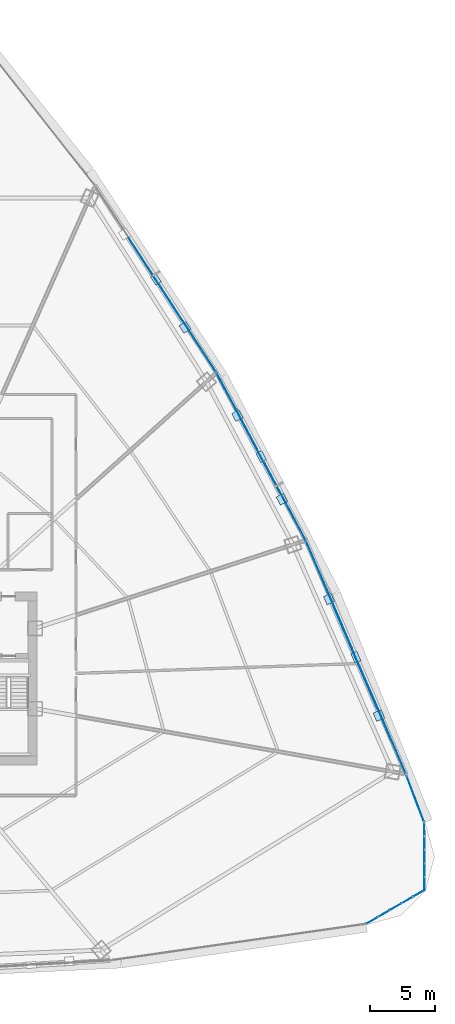
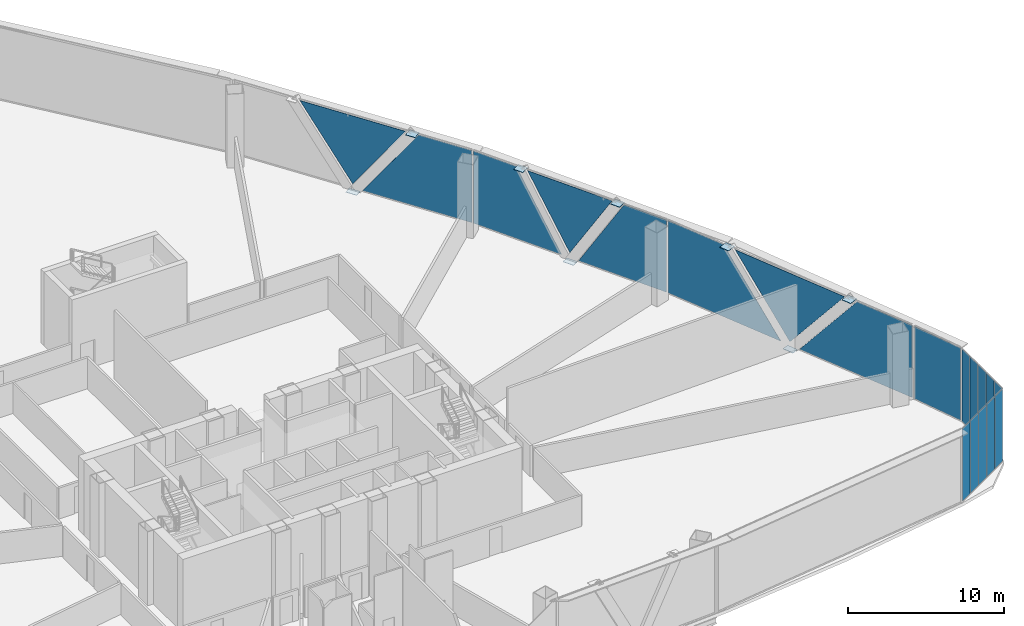
# One storey, part 31 of 41: 27 plates, 6 elements without a shape of their own.
"""IFC4 building model written with IfcOpenShell, lengths in metres."""

from ifc_helpers import new_model, si_unit, direction, frame, origin, origin_2d, place, context, subcontext, project, spatial, polyline, rectangle, outline, extrude, source, transform, mapped, material, layer, layer_set, type_object, element, aggregate, save


model = new_model("IFC4")

# Units and contexts
model_context = context("Model", 3, precision=1e-05, world=origin(), true_north=direction((0.0, 1.0)))
body_context = subcontext(model_context, "Body", "Model", "MODEL_VIEW")
ifc_project = project(units=[si_unit("LENGTHUNIT", "METRE"), si_unit("AREAUNIT", "SQUARE_METRE"), si_unit("VOLUMEUNIT", "CUBIC_METRE"), si_unit("PLANEANGLEUNIT", "RADIAN"), si_unit("MASSUNIT", "GRAM", prefix="KILO"), si_unit("THERMODYNAMICTEMPERATUREUNIT", "KELVIN"), si_unit("POWERUNIT", "WATT")], contexts=[model_context])

# Site, building, storey
site_placement = place(None, origin())
site = spatial("IfcSite", under=ifc_project, at=site_placement, CompositionType="ELEMENT")
building_placement = place(site_placement, origin())
building = spatial("IfcBuilding", under=site, at=building_placement, Name="Yunzhuo Pagoda Commons", CompositionType="ELEMENT")
storey_placement = place(building_placement, frame((0.0, 0.0, 70.330078125)))
storey = spatial("IfcBuildingStorey", under=building, at=storey_placement, Name="L18", CompositionType="ELEMENT", Elevation=70.330078125)

# Curtain wall, plates
ifc_material_1 = material(Name="Anodized aluminium 6063-T6", Category="aluminium")
ifc_layer_1 = layer(ifc_material_1, 0.1650390625)
ifc_layer_set_1 = layer_set([ifc_layer_1], Name="Anodized aluminium 6063-T6")
curtain_wall_type_1 = type_object("IfcCurtainWallType", Name="CW-LOW Low-Zone Ribbon Curtain Wall", PredefinedType="NOTDEFINED", material=ifc_layer_set_1)
curtain_wall_1_placement = place(storey_placement, origin())
curtain_wall_1 = element("IfcCurtainWall", 1, at=curtain_wall_1_placement, inside=storey, type_object=curtain_wall_type_1, Name="L18 curtain wall CW-L18-F2B2", PredefinedType="NOTDEFINED")
ifc_material_2 = material(Name="Tempered low-e double glazing", Category="glass")
ifc_layer_2 = layer(ifc_material_2, 0.028076171875)
ifc_layer_set_2 = layer_set([ifc_layer_2], Name="Tempered low-e double glazing")
plate_type_1 = type_object("IfcPlateType", Name="CW-LOW-P Low-E Double Glazing 28", PredefinedType="CURTAIN_PANEL", material=ifc_layer_set_2)
plate_1_placement = place(storey_placement, frame((87.26708984375, 30.65380859375, 2.885009765625), z_axis=(0.919121093161, 0.39397514656, 0.0), x_axis=(-0.39397514656, 0.919121093161, 0.0)))
plate_1 = element("IfcPlate", 2, at=plate_1_placement, type_object=plate_type_1, Name="CW panel 1.1 lite 1", PredefinedType="CURTAIN_PANEL", context=body_context, shape_type="SweptSolid", body=[
    extrude(outline(polyline([(-4.50830078125, -2.824951171875), (4.50830078125, -2.824951171875), (-0.09814453125, 2.824951171875), (-4.50830078125, 2.824951171875), (-4.50830078125, -2.824951171875)])), origin(), (0.0, 0.0, 1.0), 0.028076171875),
])
plate_2_placement = place(storey_placement, frame((85.16748046875, 35.47607421875, 3.025634765625), z_axis=(0.919121093161, 0.39397514656, 0.0), x_axis=(-0.39397514656, 0.919121093161, 0.0)))
plate_2 = element("IfcPlate", 3, at=plate_2_placement, type_object=plate_type_1, Name="CW panel 1.1 lite 2", PredefinedType="CURTAIN_PANEL", context=body_context, shape_type="SweptSolid", body=[
    extrude(outline(polyline([(-4.377197265625, 2.684326171875), (0.0, -2.684326171875), (4.377197265625, 2.684326171875), (-4.377197265625, 2.684326171875)])), origin(), (0.0, 0.0, 1.0), 0.028076171875),
])
plate_3_placement = place(storey_placement, frame((83.122802734375, 40.32177734375, 2.885009765625), z_axis=(0.919121093161, 0.39397514656, 0.0), x_axis=(-0.39397514656, 0.919121093161, 0.0)))
plate_3 = element("IfcPlate", 4, at=plate_3_placement, type_object=plate_type_1, Name="CW panel 1.1 lite 3", PredefinedType="CURTAIN_PANEL", context=body_context, shape_type="SweptSolid", body=[
    extrude(outline(polyline([(-4.50830078125, -2.824951171875), (4.50830078125, -2.824951171875), (4.50830078125, 2.824951171875), (0.098388671875, 2.824951171875), (-4.50830078125, -2.824951171875)])), origin(), (0.0, 0.0, 1.0), 0.028076171875),
])
aggregate(curtain_wall_1, [plate_1, plate_2, plate_3])

curtain_wall_2_placement = place(storey_placement, origin())
curtain_wall_2 = element("IfcCurtainWall", 5, at=curtain_wall_2_placement, inside=storey, type_object=curtain_wall_type_1, Name="L18 curtain wall CW-L18-F2B3", PredefinedType="NOTDEFINED")
plate_4_placement = place(storey_placement, frame((79.73046875, 47.51220703125, 2.885009765625), z_axis=(0.882636758547, 0.470055690808, 0.0), x_axis=(-0.470055690808, 0.882636758547, 0.0)))
plate_4 = element("IfcPlate", 6, at=plate_4_placement, type_object=plate_type_1, Name="CW panel 1.1 lite 1", PredefinedType="CURTAIN_PANEL", context=body_context, shape_type="SweptSolid", body=[
    extrude(outline(polyline([(-3.320068359375, -2.824951171875), (3.320068359375, -2.824951171875), (-0.120849609375, 2.824951171875), (-3.320068359375, 2.824951171875), (-3.320068359375, -2.824951171875)])), origin(), (0.0, 0.0, 1.0), 0.028076171875),
])
plate_5_placement = place(storey_placement, frame((77.842529296875, 50.9931640625, 3.09033203125), z_axis=(0.882636758547, 0.470055690808, 0.0), x_axis=(-0.470055690808, 0.882636758547, 0.0)))
plate_5 = element("IfcPlate", 7, at=plate_5_placement, type_object=plate_type_1, Name="CW panel 1.1 lite 2", PredefinedType="CURTAIN_PANEL", context=body_context, shape_type="SweptSolid", body=[
    extrude(outline(polyline([(-3.19091796875, 2.61962890625), (0.0, -2.61962890625), (3.19091796875, 2.61962890625), (-3.19091796875, 2.61962890625)])), origin(), (0.0, 0.0, 1.0), 0.028076171875),
])
plate_6_placement = place(storey_placement, frame((76.0078125, 54.50244140625, 2.885009765625), z_axis=(0.882636758547, 0.470055690808, 0.0), x_axis=(-0.470055690808, 0.882636758547, 0.0)))
plate_6 = element("IfcPlate", 8, at=plate_6_placement, type_object=plate_type_1, Name="CW panel 1.1 lite 3", PredefinedType="CURTAIN_PANEL", context=body_context, shape_type="SweptSolid", body=[
    extrude(outline(polyline([(-3.320068359375, -2.824951171875), (3.320068359375, -2.824951171875), (3.320068359375, 2.824951171875), (0.120849609375, 2.824951171875), (-3.320068359375, -2.824951171875)])), origin(), (0.0, 0.0, 1.0), 0.028076171875),
])
aggregate(curtain_wall_2, [plate_4, plate_5, plate_6])

curtain_wall_3_placement = place(storey_placement, origin())
curtain_wall_3 = element("IfcCurtainWall", 9, at=curtain_wall_3_placement, inside=storey, type_object=curtain_wall_type_1, Name="L18 curtain wall CW-L18-F2B4", PredefinedType="NOTDEFINED")
plate_7_placement = place(storey_placement, frame((72.2412109375, 60.84228515625, 2.885009765625), z_axis=(0.838840312647, 0.54437756188, 0.0), x_axis=(-0.54437756188, 0.838840312647, 0.0)))
plate_7 = element("IfcPlate", 10, at=plate_7_placement, type_object=plate_type_1, Name="CW panel 1.1 lite 1", PredefinedType="CURTAIN_PANEL", context=body_context, shape_type="SweptSolid", body=[
    extrude(outline(polyline([(-3.93212890625, -2.824951171875), (3.93212890625, -2.824951171875), (-0.10888671875, 2.824951171875), (-3.93212890625, 2.824951171875), (-3.93212890625, -2.824951171875)])), origin(), (0.0, 0.0, 1.0), 0.028076171875),
])
plate_8_placement = place(storey_placement, frame((69.696533203125, 64.708251953125, 3.051513671875), z_axis=(0.838840312647, 0.54437756188, 0.0), x_axis=(-0.54437756188, 0.838840312647, 0.0)))
plate_8 = element("IfcPlate", 11, at=plate_8_placement, type_object=plate_type_1, Name="CW panel 1.1 lite 2", PredefinedType="CURTAIN_PANEL", context=body_context, shape_type="SweptSolid", body=[
    extrude(outline(polyline([(-3.802734375, 2.658447265625), (0.0, -2.658447265625), (3.802734375, 2.658447265625), (-3.802734375, 2.658447265625)])), origin(), (0.0, 0.0, 1.0), 0.028076171875),
])
aggregate(curtain_wall_3, [plate_7, plate_8])

# Plates
ifc_material_3 = material(Name="Structural steel Q355B", Category="steel")
ifc_layer_3 = layer(ifc_material_3, 0.028076171875)
ifc_layer_set_3 = layer_set([ifc_layer_3], Name="Structural steel Q355B")
plate_type_2 = type_object("IfcPlateType", Name="SP-ND1 Lattice Node Cap Plate 800x500x28", PredefinedType="USERDEFINED", material=ifc_layer_set_3)
shared_shape_1 = source(origin(), body_context, "Body", "SweptSolid", [
    extrude(rectangle(XDim=0.800048828125, YDim=0.5, at=origin_2d()), origin(), (0.0, 0.0, 1.0), 0.028076171875),
])
for number, where, z_axis, x_axis, name in (
    (12, (85.2080078125, 35.493408203125, -0.27392578125), (0.0, 0.0, 1.0), (-0.393973993227, 0.91912158753, 0.0), "L18 diamond node plate F2.1A"),
    (13, (77.881591796875, 51.013916015625, -0.27392578125), (0.0, 0.0, 1.0), (-0.47005705251, 0.88263603336, 0.0), "L18 diamond node plate F2.2A"),
    (14, (69.7333984375, 64.732177734375, -0.27392578125), (0.0, 0.0, 1.0), (-0.544375532013, 0.838841629955, 0.0), "L18 diamond node plate F2.3A"),
):
    element("IfcPlate", number, at=place(storey_placement, frame(where, z_axis=z_axis, x_axis=x_axis)), inside=storey, type_object=plate_type_2, Name=name, ObjectType="STIFFENER_PLATE", PredefinedType="USERDEFINED", context=body_context, shape_type="MappedRepresentation", body=[
        mapped(shared_shape_1, transform((0.0, 0.0, 0.0), scale=1.0)),
    ])
shared_shape_2 = source(origin(), body_context, "Body", "SweptSolid", [
    extrude(rectangle(XDim=0.699951171875, YDim=0.672119140625, at=origin_2d()), origin(), (0.0, 0.0, 1.0), 0.035888671875),
])
plate_9_placement = place(storey_placement, frame((86.984130859375, 30.986328125, 5.73193359375), z_axis=(0.0, 0.0, 1.0), x_axis=(-0.393973993227, 0.91912158753, 0.0)))
element("IfcPlate", 15, at=plate_9_placement, inside=storey, type_object=plate_type_2, Name="L18 setback lattice tie plate F2.1L", ObjectType="STIFFENER_PLATE", PredefinedType="USERDEFINED", context=body_context, shape_type="MappedRepresentation", body=[
    mapped(shared_shape_2, transform((0.0, 0.0, 0.0), scale=1.0)),
])
shared_shape_3 = source(origin(), body_context, "Body", "SweptSolid", [
    extrude(rectangle(XDim=0.699951171875, YDim=0.627685546875, at=origin_2d()), origin(), (0.0, 0.0, 1.0), 0.035888671875),
])
plate_10_placement = place(storey_placement, frame((79.480712890625, 47.716064453125, 5.73193359375), z_axis=(0.0, 0.0, 1.0), x_axis=(-0.47005705251, 0.88263603336, 0.0)))
element("IfcPlate", 16, at=plate_10_placement, inside=storey, type_object=plate_type_2, Name="L18 setback lattice tie plate F2.2L", ObjectType="STIFFENER_PLATE", PredefinedType="USERDEFINED", context=body_context, shape_type="MappedRepresentation", body=[
    mapped(shared_shape_3, transform((0.0, 0.0, 0.0), scale=1.0)),
])
shared_shape_4 = source(origin(), body_context, "Body", "SweptSolid", [
    extrude(rectangle(XDim=0.699951171875, YDim=0.627197265625, at=origin_2d()), origin(), (0.0, 0.0, 1.0), 0.035888671875),
])
plate_11_placement = place(storey_placement, frame((76.043212890625, 54.173583984375, 5.73193359375), z_axis=(0.0, 0.0, 1.0), x_axis=(-0.47005705251, 0.88263603336, 0.0)))
element("IfcPlate", 17, at=plate_11_placement, inside=storey, type_object=plate_type_2, Name="L18 setback lattice tie plate F2.2R", ObjectType="STIFFENER_PLATE", PredefinedType="USERDEFINED", context=body_context, shape_type="MappedRepresentation", body=[
    mapped(shared_shape_4, transform((0.0, 0.0, 0.0), scale=1.0)),
])
shared_shape_5 = source(origin(), body_context, "Body", "SweptSolid", [
    extrude(rectangle(XDim=0.699951171875, YDim=0.63818359375, at=origin_2d()), origin(), (0.0, 0.0, 1.0), 0.035888671875),
])
plate_12_placement = place(storey_placement, frame((71.986083984375, 61.00634765625, 5.73193359375), z_axis=(0.0, 0.0, 1.0), x_axis=(-0.544375532013, 0.838841629955, 0.0)))
element("IfcPlate", 18, at=plate_12_placement, inside=storey, type_object=plate_type_2, Name="L18 setback lattice tie plate F2.3L", ObjectType="STIFFENER_PLATE", PredefinedType="USERDEFINED", context=body_context, shape_type="MappedRepresentation", body=[
    mapped(shared_shape_5, transform((0.0, 0.0, 0.0), scale=1.0)),
])
shared_shape_6 = source(origin(), body_context, "Body", "SweptSolid", [
    extrude(rectangle(XDim=0.699951171875, YDim=0.640869140625, at=origin_2d()), origin(), (0.0, 0.0, 1.0), 0.035888671875),
])
plate_13_placement = place(storey_placement, frame((83.127685546875, 39.98681640625, 5.73193359375), z_axis=(0.0, 0.0, 1.0), x_axis=(-0.393973993227, 0.91912158753, 0.0)))
element("IfcPlate", 19, at=plate_13_placement, inside=storey, type_object=plate_type_2, Name="L18 setback lattice tie plate F2.1R", ObjectType="STIFFENER_PLATE", PredefinedType="USERDEFINED", context=body_context, shape_type="MappedRepresentation", body=[
    mapped(shared_shape_6, transform((0.0, 0.0, 0.0), scale=1.0)),
])

# Curtain wall, plate
curtain_wall_4_placement = place(storey_placement, origin())
curtain_wall_4 = element("IfcCurtainWall", 20, at=curtain_wall_4_placement, inside=storey, type_object=curtain_wall_type_1, Name="L18 curtain wall CW-L18-F2B1", PredefinedType="NOTDEFINED")
shared_shape_7 = source(origin(), body_context, "Body", "SweptSolid", [
    extrude(rectangle(XDim=3.80126953125, YDim=0.028076171875, at=origin_2d()), origin(), (0.0, 0.0, 1.0), 5.64990234375),
])
plate_14_placement = place(storey_placement, frame((89.802734375, 24.547119140625, 0.06005859375), z_axis=(0.0, 0.0, 1.0), x_axis=(-0.353291245367, 0.9355133863, 0.0)))
plate_14 = element("IfcPlate", 21, at=plate_14_placement, type_object=plate_type_1, Name="CW panel 1.1", PredefinedType="CURTAIN_PANEL", context=body_context, shape_type="MappedRepresentation", body=[
    mapped(shared_shape_7, transform((0.0, 0.0, 0.0), scale=1.0)),
])
aggregate(curtain_wall_4, [plate_14])

# Curtain wall, plates
ifc_layer_4 = layer(ifc_material_1, 0.1298828125)
ifc_layer_set_4 = layer_set([ifc_layer_4], Name="Anodized aluminium 6063-T6")
curtain_wall_type_2 = type_object("IfcCurtainWallType", Name="CW-VTX Rounded Corner Curtain Wall", PredefinedType="NOTDEFINED", material=ifc_layer_set_4)
curtain_wall_5_placement = place(storey_placement, origin())
curtain_wall_5 = element("IfcCurtainWall", 22, at=curtain_wall_5_placement, inside=storey, type_object=curtain_wall_type_2, Name="L18 curtain wall CW-L18-VTX2S1", PredefinedType="NOTDEFINED")
ifc_layer_5 = layer(ifc_material_2, 0.02587890625)
ifc_layer_set_5 = layer_set([ifc_layer_5], Name="Tempered low-e double glazing")
plate_type_3 = type_object("IfcPlateType", Name="CW-VTX-P Low-E Double Glazing 26", PredefinedType="CURTAIN_PANEL", material=ifc_layer_set_5)
shared_shape_8 = source(origin(), body_context, "Body", "SweptSolid", [
    extrude(rectangle(XDim=0.9716796875, YDim=0.028076171875, at=origin_2d()), origin(), (0.0, 0.0, 1.0), 5.659912109375),
])
plate_15_placement = place(storey_placement, frame((86.462158203125, 15.136474609375, 0.05517578125), z_axis=(0.0, 0.0, 1.0), x_axis=(0.865424986596, 0.501038514064, 0.0)))
plate_15 = element("IfcPlate", 23, at=plate_15_placement, type_object=plate_type_3, Name="CW panel 1.1", PredefinedType="CURTAIN_PANEL", context=body_context, shape_type="MappedRepresentation", body=[
    mapped(shared_shape_8, transform((0.0, 0.0, 0.0), scale=1.0)),
])
plate_16_placement = place(storey_placement, frame((90.087890625, 17.235595703125, 0.05517578125), z_axis=(0.0, 0.0, 1.0), x_axis=(0.865424986596, 0.501038514064, 0.0)))
plate_16 = element("IfcPlate", 24, at=plate_16_placement, type_object=plate_type_3, Name="CW panel 5.1", PredefinedType="CURTAIN_PANEL", context=body_context, shape_type="MappedRepresentation", body=[
    mapped(shared_shape_8, transform((0.0, 0.0, 0.0), scale=1.0)),
])

curtain_wall_6_placement = place(storey_placement, origin())
curtain_wall_6 = element("IfcCurtainWall", 25, at=curtain_wall_6_placement, inside=storey, type_object=curtain_wall_type_2, Name="L18 curtain wall CW-L18-VTX2S2", PredefinedType="NOTDEFINED")
plate_17_placement = place(storey_placement, frame((90.51416015625, 17.97802734375, 0.05517578125), z_axis=(0.0, 0.0, 1.0), x_axis=(-0.003585566294, 0.999993571837, 0.0)))
plate_17 = element("IfcPlate", 26, at=plate_17_placement, type_object=plate_type_3, Name="CW panel 1.1", PredefinedType="CURTAIN_PANEL", context=body_context, shape_type="MappedRepresentation", body=[
    mapped(shared_shape_8, transform((0.0, 0.0, 0.0), scale=1.0)),
])
plate_18_placement = place(storey_placement, frame((90.4990234375, 22.167236328125, 0.05517578125), z_axis=(0.0, 0.0, 1.0), x_axis=(-0.003585566294, 0.999993571837, 0.0)))
plate_18 = element("IfcPlate", 27, at=plate_18_placement, type_object=plate_type_3, Name="CW panel 5.1", PredefinedType="CURTAIN_PANEL", context=body_context, shape_type="MappedRepresentation", body=[
    mapped(shared_shape_8, transform((0.0, 0.0, 0.0), scale=1.0)),
])

# Plate
shared_shape_9 = source(origin(), body_context, "Body", "SweptSolid", [
    extrude(rectangle(XDim=0.999267578125, YDim=0.028076171875, at=origin_2d()), origin(), (0.0, 0.0, 1.0), 5.659912109375),
])
plate_19_placement = place(storey_placement, frame((87.36279296875, 15.657958984375, 0.05517578125), z_axis=(0.0, 0.0, 1.0), x_axis=(0.865424986596, 0.501038514064, 0.0)))
plate_19 = element("IfcPlate", 28, at=plate_19_placement, type_object=plate_type_3, Name="CW panel 2.1", PredefinedType="CURTAIN_PANEL", context=body_context, shape_type="MappedRepresentation", body=[
    mapped(shared_shape_9, transform((0.0, 0.0, 0.0), scale=1.0)),
])

plate_20_placement = place(storey_placement, frame((88.275146484375, 16.18603515625, 0.05517578125), z_axis=(0.0, 0.0, 1.0), x_axis=(0.865424986596, 0.501038514064, 0.0)))
plate_20 = element("IfcPlate", 29, at=plate_20_placement, type_object=plate_type_3, Name="CW panel 3.1", PredefinedType="CURTAIN_PANEL", context=body_context, shape_type="MappedRepresentation", body=[
    mapped(shared_shape_9, transform((0.0, 0.0, 0.0), scale=1.0)),
])

plate_21_placement = place(storey_placement, frame((89.1875, 16.71435546875, 0.05517578125), z_axis=(0.0, 0.0, 1.0), x_axis=(0.865424986596, 0.501038514064, 0.0)))
plate_21 = element("IfcPlate", 30, at=plate_21_placement, type_object=plate_type_3, Name="CW panel 4.1", PredefinedType="CURTAIN_PANEL", context=body_context, shape_type="MappedRepresentation", body=[
    mapped(shared_shape_9, transform((0.0, 0.0, 0.0), scale=1.0)),
])

aggregate(curtain_wall_5, [plate_15, plate_19, plate_20, plate_21, plate_16])

plate_22_placement = place(storey_placement, frame((90.51025390625, 19.018310546875, 0.05517578125), z_axis=(0.0, 0.0, 1.0), x_axis=(-0.003585566294, 0.999993571837, 0.0)))
plate_22 = element("IfcPlate", 31, at=plate_22_placement, type_object=plate_type_3, Name="CW panel 2.1", PredefinedType="CURTAIN_PANEL", context=body_context, shape_type="MappedRepresentation", body=[
    mapped(shared_shape_9, transform((0.0, 0.0, 0.0), scale=1.0)),
])

plate_23_placement = place(storey_placement, frame((90.506591796875, 20.07275390625, 0.05517578125), z_axis=(0.0, 0.0, 1.0), x_axis=(-0.003585566294, 0.999993571837, 0.0)))
plate_23 = element("IfcPlate", 32, at=plate_23_placement, type_object=plate_type_3, Name="CW panel 3.1", PredefinedType="CURTAIN_PANEL", context=body_context, shape_type="MappedRepresentation", body=[
    mapped(shared_shape_9, transform((0.0, 0.0, 0.0), scale=1.0)),
])

plate_24_placement = place(storey_placement, frame((90.502685546875, 21.126953125, 0.05517578125), z_axis=(0.0, 0.0, 1.0), x_axis=(-0.003585566294, 0.999993571837, 0.0)))
plate_24 = element("IfcPlate", 33, at=plate_24_placement, type_object=plate_type_3, Name="CW panel 4.1", PredefinedType="CURTAIN_PANEL", context=body_context, shape_type="MappedRepresentation", body=[
    mapped(shared_shape_9, transform((0.0, 0.0, 0.0), scale=1.0)),
])

aggregate(curtain_wall_6, [plate_17, plate_22, plate_23, plate_24, plate_18])

save(model, "model.ifc")
